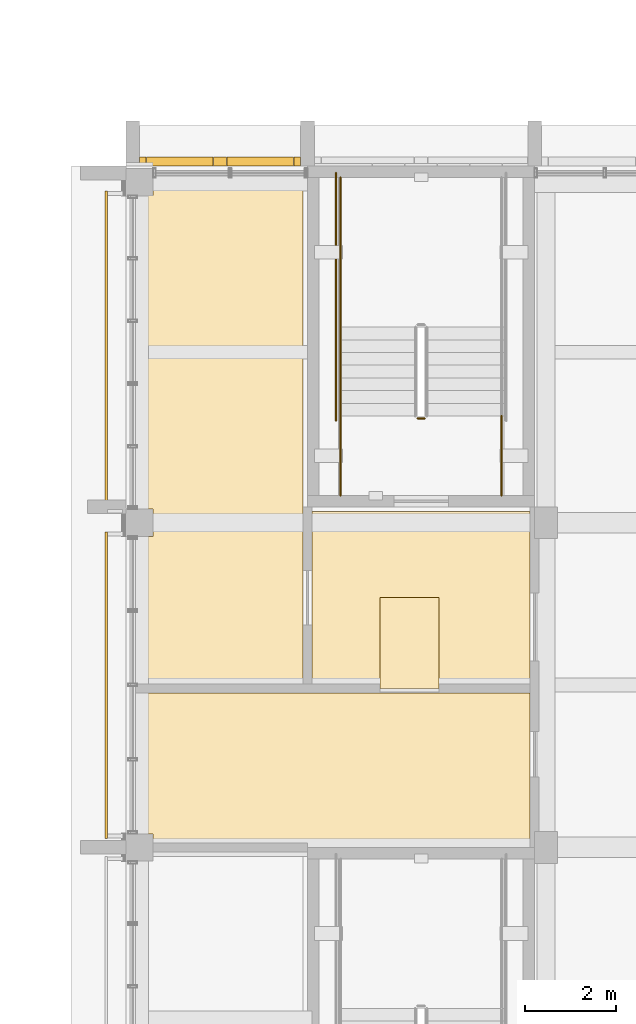
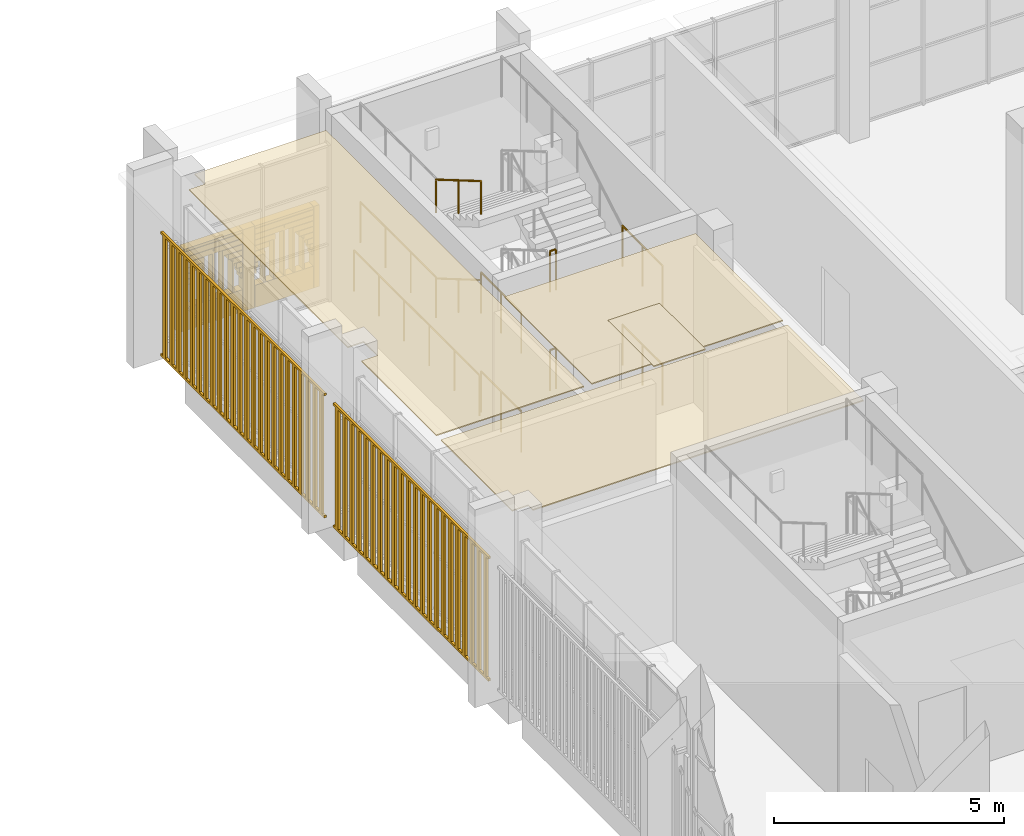
# One storey, part 121 of 125: 10 railings, 5 coverings, 2 shading devices.
"""IFC4 building model written with IfcOpenShell, lengths in metres."""

from ifc_helpers import new_model, si_unit, direction, frame, origin, origin_2d, place, context, subcontext, project, spatial, polyline, rectangle, circle, outline, extrude, material, layer, layer_set, type_object, element, save


model = new_model("IFC4")

# Units and contexts
model_context = context("Model", 3, precision=1e-05, world=origin(), true_north=direction((0.0, 1.0)))
body_context = subcontext(model_context, "Body", "Model", "MODEL_VIEW")
ifc_project = project(units=[si_unit("LENGTHUNIT", "METRE"), si_unit("AREAUNIT", "SQUARE_METRE"), si_unit("VOLUMEUNIT", "CUBIC_METRE"), si_unit("PLANEANGLEUNIT", "RADIAN"), si_unit("MASSUNIT", "GRAM", prefix="KILO")], contexts=[model_context])

# Site, building, storey
site_placement = place(None, origin())
site = spatial("IfcSite", under=ifc_project, at=site_placement, CompositionType="ELEMENT")
building_placement = place(site_placement, origin())
building = spatial("IfcBuilding", under=site, at=building_placement, Name="Sun Court Science Centre", CompositionType="ELEMENT")
storey_placement = place(building_placement, frame((0.0, 0.0, 6.0)))
storey = spatial("IfcBuildingStorey", under=building, at=storey_placement, Name="L01", CompositionType="ELEMENT", Elevation=6.0)

# Coverings
ifc_material_1 = material(Name="Red sandstone", Category="masonry")
ifc_layer_1 = layer(ifc_material_1, 0.199951171875)
ifc_layer_set_1 = layer_set([ifc_layer_1], Name="Red sandstone")
covering_type_1 = type_object("IfcCoveringType", Name="Arched jali screen 200", PredefinedType="CLADDING", material=ifc_layer_set_1)
covering_1_placement = place(storey_placement, frame((0.0, 0.0, -6.0)))
element("IfcCovering", 1, at=covering_1_placement, inside=storey, type_object=covering_type_1, Name="Arched jali screen north L01 01", PredefinedType="CLADDING", context=body_context, shape_type="SweptSolid", body=[
    extrude(rectangle(XDim=0.139892578125, YDim=0.199951171875, at=origin_2d()), frame((78.375, 81.10009765625, 6.304931640625), z_axis=(0.0, 0.0, 1.0), x_axis=(1.0, 0.0, 0.0)), (0.0, 0.0, 1.0), 2.16748046875),
    extrude(rectangle(XDim=0.2900390625, YDim=0.199951171875, at=origin_2d()), frame((80.074951171875, 81.10009765625, 6.304931640625), z_axis=(0.0, 0.0, 1.0), x_axis=(1.0, 0.0, 0.0)), (0.0, 0.0, 1.0), 2.16748046875),
    extrude(rectangle(XDim=0.139892578125, YDim=0.199951171875, at=origin_2d()), frame((81.77490234375, 81.10009765625, 6.304931640625), z_axis=(0.0, 0.0, 1.0), x_axis=(1.0, 0.0, 0.0)), (0.0, 0.0, 1.0), 2.16748046875),
    extrude(rectangle(XDim=1.465087890625, YDim=0.199951171875, at=origin_2d()), frame((79.1875, 81.10009765625, 6.30517578125), z_axis=(0.0, 0.0, 1.0), x_axis=(1.0, 0.0, 0.0)), (0.0, 0.0, 1.0), 0.590087890625),
    extrude(rectangle(XDim=0.03857421875, YDim=0.199951171875, at=origin_2d()), frame((78.47412109375, 81.10009765625, 7.205078125), z_axis=(0.0, 0.0, 1.0), x_axis=(1.0, 0.0, 0.0)), (0.0, 0.0, 1.0), 0.139892578125),
    extrude(rectangle(XDim=0.03857421875, YDim=0.199951171875, at=origin_2d()), frame((79.90087890625, 81.10009765625, 7.205078125), z_axis=(0.0, 0.0, 1.0), x_axis=(1.0, 0.0, 0.0)), (0.0, 0.0, 1.0), 0.139892578125),
    extrude(rectangle(XDim=0.086669921875, YDim=0.199951171875, at=origin_2d()), frame((78.498291015625, 81.10009765625, 7.35498046875), z_axis=(0.0, 0.0, 1.0), x_axis=(1.0, 0.0, 0.0)), (0.0, 0.0, 1.0), 0.139892578125),
    extrude(rectangle(XDim=0.086669921875, YDim=0.199951171875, at=origin_2d()), frame((79.876708984375, 81.10009765625, 7.35498046875), z_axis=(0.0, 0.0, 1.0), x_axis=(1.0, 0.0, 0.0)), (0.0, 0.0, 1.0), 0.139892578125),
    extrude(rectangle(XDim=0.153564453125, YDim=0.199951171875, at=origin_2d()), frame((78.53173828125, 81.10009765625, 7.5048828125), z_axis=(0.0, 0.0, 1.0), x_axis=(1.0, 0.0, 0.0)), (0.0, 0.0, 1.0), 0.139892578125),
    extrude(rectangle(XDim=0.153564453125, YDim=0.199951171875, at=origin_2d()), frame((79.84326171875, 81.10009765625, 7.5048828125), z_axis=(0.0, 0.0, 1.0), x_axis=(1.0, 0.0, 0.0)), (0.0, 0.0, 1.0), 0.139892578125),
    extrude(rectangle(XDim=0.2421875, YDim=0.199951171875, at=origin_2d()), frame((78.576171875, 81.10009765625, 7.6552734375), z_axis=(0.0, 0.0, 1.0), x_axis=(1.0, 0.0, 0.0)), (0.0, 0.0, 1.0), 0.139892578125),
    extrude(rectangle(XDim=0.2421875, YDim=0.199951171875, at=origin_2d()), frame((79.798828125, 81.10009765625, 7.6552734375), z_axis=(0.0, 0.0, 1.0), x_axis=(1.0, 0.0, 0.0)), (0.0, 0.0, 1.0), 0.139892578125),
    extrude(rectangle(XDim=0.358154296875, YDim=0.199951171875, at=origin_2d()), frame((78.634033203125, 81.10009765625, 7.80517578125), z_axis=(0.0, 0.0, 1.0), x_axis=(1.0, 0.0, 0.0)), (0.0, 0.0, 1.0), 0.139892578125),
    extrude(rectangle(XDim=0.358154296875, YDim=0.199951171875, at=origin_2d()), frame((79.740966796875, 81.10009765625, 7.80517578125), z_axis=(0.0, 0.0, 1.0), x_axis=(1.0, 0.0, 0.0)), (0.0, 0.0, 1.0), 0.139892578125),
    extrude(rectangle(XDim=0.510986328125, YDim=0.199951171875, at=origin_2d()), frame((78.71044921875, 81.10009765625, 7.955078125), z_axis=(0.0, 0.0, 1.0), x_axis=(1.0, 0.0, 0.0)), (0.0, 0.0, 1.0), 0.139892578125),
    extrude(rectangle(XDim=0.510986328125, YDim=0.199951171875, at=origin_2d()), frame((79.66455078125, 81.10009765625, 7.955078125), z_axis=(0.0, 0.0, 1.0), x_axis=(1.0, 0.0, 0.0)), (0.0, 0.0, 1.0), 0.139892578125),
    extrude(rectangle(XDim=0.723388671875, YDim=0.199951171875, at=origin_2d()), frame((78.816650390625, 81.10009765625, 8.10498046875), z_axis=(0.0, 0.0, 1.0), x_axis=(1.0, 0.0, 0.0)), (0.0, 0.0, 1.0), 0.139892578125),
    extrude(rectangle(XDim=0.723388671875, YDim=0.199951171875, at=origin_2d()), frame((79.558349609375, 81.10009765625, 8.10498046875), z_axis=(0.0, 0.0, 1.0), x_axis=(1.0, 0.0, 0.0)), (0.0, 0.0, 1.0), 0.139892578125),
    extrude(rectangle(XDim=1.465087890625, YDim=0.199951171875, at=origin_2d()), frame((79.1875, 81.10009765625, 8.2548828125), z_axis=(0.0, 0.0, 1.0), x_axis=(1.0, 0.0, 0.0)), (0.0, 0.0, 1.0), 0.139892578125),
    extrude(rectangle(XDim=1.465087890625, YDim=0.199951171875, at=origin_2d()), frame((79.1875, 81.10009765625, 8.405029296875), z_axis=(0.0, 0.0, 1.0), x_axis=(1.0, 0.0, 0.0)), (0.0, 0.0, 1.0), 0.0673828125),
    extrude(rectangle(XDim=0.0400390625, YDim=0.199951171875, at=origin_2d()), frame((78.69580078125, 81.10009765625, 6.90478515625), z_axis=(0.0, 0.0, 1.0), x_axis=(1.0, 0.0, 0.0)), (0.0, 0.0, 1.0), 0.805419921875),
    extrude(rectangle(XDim=0.0400390625, YDim=0.199951171875, at=origin_2d()), frame((78.941650390625, 81.10009765625, 6.905029296875), z_axis=(0.0, 0.0, 1.0), x_axis=(1.0, 0.0, 0.0)), (0.0, 0.0, 1.0), 1.08935546875),
    extrude(rectangle(XDim=0.0400390625, YDim=0.199951171875, at=origin_2d()), frame((79.1875, 81.10009765625, 6.90478515625), z_axis=(0.0, 0.0, 1.0), x_axis=(1.0, 0.0, 0.0)), (0.0, 0.0, 1.0), 1.267333984375),
    extrude(rectangle(XDim=0.0400390625, YDim=0.199951171875, at=origin_2d()), frame((79.433349609375, 81.10009765625, 6.905029296875), z_axis=(0.0, 0.0, 1.0), x_axis=(1.0, 0.0, 0.0)), (0.0, 0.0, 1.0), 1.08935546875),
    extrude(rectangle(XDim=0.0400390625, YDim=0.199951171875, at=origin_2d()), frame((79.67919921875, 81.10009765625, 6.90478515625), z_axis=(0.0, 0.0, 1.0), x_axis=(1.0, 0.0, 0.0)), (0.0, 0.0, 1.0), 0.805419921875),
    extrude(rectangle(XDim=1.465087890625, YDim=0.199951171875, at=origin_2d()), frame((80.96240234375, 81.10009765625, 6.30517578125), z_axis=(0.0, 0.0, 1.0), x_axis=(1.0, 0.0, 0.0)), (0.0, 0.0, 1.0), 0.590087890625),
    extrude(rectangle(XDim=0.03857421875, YDim=0.199951171875, at=origin_2d()), frame((80.249267578125, 81.10009765625, 7.205078125), z_axis=(0.0, 0.0, 1.0), x_axis=(1.0, 0.0, 0.0)), (0.0, 0.0, 1.0), 0.139892578125),
    extrude(rectangle(XDim=0.03857421875, YDim=0.199951171875, at=origin_2d()), frame((81.67578125, 81.10009765625, 7.205078125), z_axis=(0.0, 0.0, 1.0), x_axis=(1.0, 0.0, 0.0)), (0.0, 0.0, 1.0), 0.139892578125),
    extrude(rectangle(XDim=0.086669921875, YDim=0.199951171875, at=origin_2d()), frame((80.273193359375, 81.10009765625, 7.35498046875), z_axis=(0.0, 0.0, 1.0), x_axis=(1.0, 0.0, 0.0)), (0.0, 0.0, 1.0), 0.139892578125),
    extrude(rectangle(XDim=0.086669921875, YDim=0.199951171875, at=origin_2d()), frame((81.651611328125, 81.10009765625, 7.35498046875), z_axis=(0.0, 0.0, 1.0), x_axis=(1.0, 0.0, 0.0)), (0.0, 0.0, 1.0), 0.139892578125),
    extrude(rectangle(XDim=0.153564453125, YDim=0.199951171875, at=origin_2d()), frame((80.306640625, 81.10009765625, 7.5048828125), z_axis=(0.0, 0.0, 1.0), x_axis=(1.0, 0.0, 0.0)), (0.0, 0.0, 1.0), 0.139892578125),
    extrude(rectangle(XDim=0.153564453125, YDim=0.199951171875, at=origin_2d()), frame((81.6181640625, 81.10009765625, 7.5048828125), z_axis=(0.0, 0.0, 1.0), x_axis=(1.0, 0.0, 0.0)), (0.0, 0.0, 1.0), 0.139892578125),
    extrude(rectangle(XDim=0.2421875, YDim=0.199951171875, at=origin_2d()), frame((80.35107421875, 81.10009765625, 7.6552734375), z_axis=(0.0, 0.0, 1.0), x_axis=(1.0, 0.0, 0.0)), (0.0, 0.0, 1.0), 0.139892578125),
    extrude(rectangle(XDim=0.2421875, YDim=0.199951171875, at=origin_2d()), frame((81.57373046875, 81.10009765625, 7.6552734375), z_axis=(0.0, 0.0, 1.0), x_axis=(1.0, 0.0, 0.0)), (0.0, 0.0, 1.0), 0.139892578125),
    extrude(rectangle(XDim=0.358154296875, YDim=0.199951171875, at=origin_2d()), frame((80.4091796875, 81.10009765625, 7.80517578125), z_axis=(0.0, 0.0, 1.0), x_axis=(1.0, 0.0, 0.0)), (0.0, 0.0, 1.0), 0.139892578125),
    extrude(rectangle(XDim=0.358154296875, YDim=0.199951171875, at=origin_2d()), frame((81.515869140625, 81.10009765625, 7.80517578125), z_axis=(0.0, 0.0, 1.0), x_axis=(1.0, 0.0, 0.0)), (0.0, 0.0, 1.0), 0.139892578125),
    extrude(rectangle(XDim=0.510986328125, YDim=0.199951171875, at=origin_2d()), frame((80.485595703125, 81.10009765625, 7.955078125), z_axis=(0.0, 0.0, 1.0), x_axis=(1.0, 0.0, 0.0)), (0.0, 0.0, 1.0), 0.139892578125),
    extrude(rectangle(XDim=0.510986328125, YDim=0.199951171875, at=origin_2d()), frame((81.439453125, 81.10009765625, 7.955078125), z_axis=(0.0, 0.0, 1.0), x_axis=(1.0, 0.0, 0.0)), (0.0, 0.0, 1.0), 0.139892578125),
    extrude(rectangle(XDim=0.723388671875, YDim=0.199951171875, at=origin_2d()), frame((80.591796875, 81.10009765625, 8.10498046875), z_axis=(0.0, 0.0, 1.0), x_axis=(1.0, 0.0, 0.0)), (0.0, 0.0, 1.0), 0.139892578125),
    extrude(rectangle(XDim=0.723388671875, YDim=0.199951171875, at=origin_2d()), frame((81.333251953125, 81.10009765625, 8.10498046875), z_axis=(0.0, 0.0, 1.0), x_axis=(1.0, 0.0, 0.0)), (0.0, 0.0, 1.0), 0.139892578125),
    extrude(rectangle(XDim=1.465087890625, YDim=0.199951171875, at=origin_2d()), frame((80.96240234375, 81.10009765625, 8.2548828125), z_axis=(0.0, 0.0, 1.0), x_axis=(1.0, 0.0, 0.0)), (0.0, 0.0, 1.0), 0.139892578125),
    extrude(rectangle(XDim=1.465087890625, YDim=0.199951171875, at=origin_2d()), frame((80.96240234375, 81.10009765625, 8.405029296875), z_axis=(0.0, 0.0, 1.0), x_axis=(1.0, 0.0, 0.0)), (0.0, 0.0, 1.0), 0.0673828125),
    extrude(rectangle(XDim=0.0400390625, YDim=0.199951171875, at=origin_2d()), frame((80.470947265625, 81.10009765625, 6.90478515625), z_axis=(0.0, 0.0, 1.0), x_axis=(1.0, 0.0, 0.0)), (0.0, 0.0, 1.0), 0.805419921875),
    extrude(rectangle(XDim=0.0400390625, YDim=0.199951171875, at=origin_2d()), frame((80.716552734375, 81.10009765625, 6.905029296875), z_axis=(0.0, 0.0, 1.0), x_axis=(1.0, 0.0, 0.0)), (0.0, 0.0, 1.0), 1.08935546875),
    extrude(rectangle(XDim=0.0400390625, YDim=0.199951171875, at=origin_2d()), frame((80.96240234375, 81.10009765625, 6.90478515625), z_axis=(0.0, 0.0, 1.0), x_axis=(1.0, 0.0, 0.0)), (0.0, 0.0, 1.0), 1.267333984375),
    extrude(rectangle(XDim=0.0400390625, YDim=0.199951171875, at=origin_2d()), frame((81.208251953125, 81.10009765625, 6.905029296875), z_axis=(0.0, 0.0, 1.0), x_axis=(1.0, 0.0, 0.0)), (0.0, 0.0, 1.0), 1.08935546875),
    extrude(rectangle(XDim=0.0400390625, YDim=0.199951171875, at=origin_2d()), frame((81.4541015625, 81.10009765625, 6.90478515625), z_axis=(0.0, 0.0, 1.0), x_axis=(1.0, 0.0, 0.0)), (0.0, 0.0, 1.0), 0.805419921875),
])
ifc_material_2 = material(Name="Gypsum board")
ifc_layer_2 = layer(ifc_material_2, 0.030029296875)
ifc_layer_set_2 = layer_set([ifc_layer_2], Name="Gypsum board")
covering_type_2 = type_object("IfcCoveringType", Name="Ceiling suspended 600 module", PredefinedType="CEILING", material=ifc_layer_set_2)
covering_2_placement = place(storey_placement, frame((0.0, 0.0, 4.52001953125)))
element("IfcCovering", 2, at=covering_2_placement, inside=storey, type_object=covering_type_2, Name="L01-042 ceiling", PredefinedType="CEILING", context=body_context, shape_type="SweptSolid", body=[
    extrude(outline(polyline([(84.89990234375, 71.5), (83.60009765625, 71.5), (83.60009765625, 69.60009765625), (82.10009765625, 69.60009765625), (82.10009765625, 73.39990234375), (86.89990234375, 73.39990234375), (86.89990234375, 69.60009765625), (84.89990234375, 69.60009765625), (84.89990234375, 71.5)])), origin(), (0.0, 0.0, 1.0), 0.030029296875),
])
covering_3_placement = place(storey_placement, frame((0.0, 0.0, 4.52001953125)))
element("IfcCovering", 3, at=covering_3_placement, inside=storey, type_object=covering_type_2, Name="L01-048 ceiling", PredefinedType="CEILING", context=body_context, shape_type="SweptSolid", body=[
    extrude(outline(polyline([(78.199951171875, 69.39990234375), (86.89990234375, 69.39990234375), (86.89990234375, 66.10009765625), (78.60009765625, 66.10009765625), (78.60009765625, 66.300048828125), (78.199951171875, 66.300048828125), (78.199951171875, 69.39990234375)])), origin(), (0.0, 0.0, 1.0), 0.030029296875),
])
covering_4_placement = place(storey_placement, frame((0.0, 0.0, 4.52001953125)))
element("IfcCovering", 4, at=covering_4_placement, inside=storey, type_object=covering_type_2, Name="L01-049 ceiling", PredefinedType="CEILING", context=body_context, shape_type="SweptSolid", body=[
    extrude(outline(polyline([(78.60009765625, 80.800048828125), (81.89990234375, 80.800048828125), (81.89990234375, 69.60009765625), (78.199951171875, 69.60009765625), (78.199951171875, 72.85009765625), (78.60009765625, 72.85009765625), (78.60009765625, 73.449951171875), (78.199951171875, 73.449951171875), (78.199951171875, 80.35009765625), (78.60009765625, 80.35009765625), (78.60009765625, 80.800048828125)])), origin(), (0.0, 0.0, 1.0), 0.030029296875),
])
covering_5_placement = place(storey_placement, frame((0.0, 0.0, 4.52001953125)))
element("IfcCovering", 5, at=covering_5_placement, inside=storey, type_object=covering_type_2, Name="L01-061 ceiling", PredefinedType="CEILING", context=body_context, shape_type="SweptSolid", body=[
    extrude(outline(polyline([(84.89990234375, 71.5), (84.89990234375, 69.5), (83.60009765625, 69.5), (83.60009765625, 71.5), (84.89990234375, 71.5)])), origin(), (0.0, 0.0, 1.0), 0.030029296875),
])

# Railings
ifc_material_3 = material(Name="Steel S275", Category="steel")
railing_type_1 = type_object("IfcRailingType", Name="Guard 1100 steel balustrade", PredefinedType="GUARDRAIL", material=ifc_material_3)
railing_1_placement = place(storey_placement, frame((82.72705078125, 77.4580078125, 1.3125)))
element("IfcRailing", 6, at=railing_1_placement, inside=storey, type_object=railing_type_1, Name="L01 SL4 stair guard 4", PredefinedType="GUARDRAIL", context=body_context, shape_type="SweptSolid", body=[
    extrude(circle(Radius=0.02392578125, at=origin_2d()), frame((0.0, 0.0, 1.076171875), z_axis=(0.0, 1.0, 0.0), x_axis=(-1.0, 0.0, 0.0)), (0.0, 0.0, 1.0), 3.2919921875),
    extrude(circle(Radius=0.02099609375, at=origin_2d()), origin(), (0.0, 0.0, 1.0), 1.052001953125),
    extrude(circle(Radius=0.02099609375, at=origin_2d()), frame((0.0, 1.097412109375, 0.0)), (0.0, 0.0, 1.0), 1.052001953125),
    extrude(circle(Radius=0.02099609375, at=origin_2d()), frame((0.0, 2.194580078125, 0.0)), (0.0, 0.0, 1.0), 1.052001953125),
    extrude(circle(Radius=0.02099609375, at=origin_2d()), frame((0.0, 3.2919921875, 0.0)), (0.0, 0.0, 1.0), 1.052001953125),
])
railing_2_placement = place(storey_placement, frame((84.574951171875, 75.447998046875, 2.625)))
element("IfcRailing", 7, at=railing_2_placement, inside=storey, type_object=railing_type_1, Name="L01 SL4 stair guard 6", PredefinedType="GUARDRAIL", context=body_context, shape_type="SweptSolid", body=[
    extrude(circle(Radius=0.02392578125, at=origin_2d()), frame((0.0, 0.0, 1.076171875), z_axis=(-1.0, 0.0, 0.0), x_axis=(0.0, -1.0, 0.0)), (0.0, 0.0, 1.0), 0.14990234375),
    extrude(circle(Radius=0.02099609375, at=origin_2d()), origin(), (0.0, 0.0, 1.0), 1.052001953125),
    extrude(circle(Radius=0.02099609375, at=origin_2d()), frame((-0.14990234375, 0.0, 0.0)), (0.0, 0.0, 1.0), 1.052001953125),
])
for number, where, name in (
    (8, (86.27294921875, 73.75, 2.625), "L01 SL4 stair guard 7"),
    (9, (82.72705078125, 73.75, 2.625), "L01 SL4 stair guard 8"),
):
    element("IfcRailing", number, at=place(storey_placement, frame(where)), inside=storey, type_object=railing_type_1, Name=name, PredefinedType="GUARDRAIL", context=body_context, shape_type="SweptSolid", body=[
        extrude(circle(Radius=0.02392578125, at=origin_2d()), frame((0.0, 0.0, 1.076171875), z_axis=(0.0, 1.0, 0.0), x_axis=(-1.0, 0.0, 0.0)), (0.0, 0.0, 1.0), 1.748046875),
        extrude(circle(Radius=0.02099609375, at=origin_2d()), origin(), (0.0, 0.0, 1.0), 1.052001953125),
        extrude(circle(Radius=0.02099609375, at=origin_2d()), frame((0.0, 0.8740234375, 0.0)), (0.0, 0.0, 1.0), 1.052001953125),
        extrude(circle(Radius=0.02099609375, at=origin_2d()), frame((0.0, 1.748046875, 0.0)), (0.0, 0.0, 1.0), 1.052001953125),
    ])
railing_3_placement = place(storey_placement, frame((84.574951171875, 75.447998046875, 0.0)))
element("IfcRailing", 10, at=railing_3_placement, inside=storey, type_object=railing_type_1, Name="L01 SL4 stair guard 14", PredefinedType="GUARDRAIL", context=body_context, shape_type="SweptSolid", body=[
    extrude(circle(Radius=0.02392578125, at=origin_2d()), frame((0.0, 0.0, 1.076171875), z_axis=(-1.0, 0.0, 0.0), x_axis=(0.0, -1.0, 0.0)), (0.0, 0.0, 1.0), 0.14990234375),
    extrude(circle(Radius=0.02099609375, at=origin_2d()), origin(), (0.0, 0.0, 1.0), 1.052001953125),
    extrude(circle(Radius=0.02099609375, at=origin_2d()), frame((-0.14990234375, 0.0, 0.0)), (0.0, 0.0, 1.0), 1.052001953125),
])
for number, where, name in (
    (11, (86.27294921875, 73.75, 0.0), "L01 SL4 stair guard 15"),
    (12, (82.72705078125, 73.75, 0.0), "L01 SL4 stair guard 16"),
):
    element("IfcRailing", number, at=place(storey_placement, frame(where)), inside=storey, type_object=railing_type_1, Name=name, PredefinedType="GUARDRAIL", context=body_context, shape_type="SweptSolid", body=[
        extrude(circle(Radius=0.02392578125, at=origin_2d()), frame((0.0, 0.0, 1.076171875), z_axis=(0.0, 1.0, 0.0), x_axis=(-1.0, 0.0, 0.0)), (0.0, 0.0, 1.0), 1.748046875),
        extrude(circle(Radius=0.02099609375, at=origin_2d()), origin(), (0.0, 0.0, 1.0), 1.052001953125),
        extrude(circle(Radius=0.02099609375, at=origin_2d()), frame((0.0, 0.8740234375, 0.0)), (0.0, 0.0, 1.0), 1.052001953125),
        extrude(circle(Radius=0.02099609375, at=origin_2d()), frame((0.0, 1.748046875, 0.0)), (0.0, 0.0, 1.0), 1.052001953125),
    ])
railing_4_placement = place(storey_placement, frame((82.626953125, 75.39794921875, 0.0)))
element("IfcRailing", 13, at=railing_4_placement, inside=storey, type_object=railing_type_1, Name="L01 SL4 stair guard 18", PredefinedType="GUARDRAIL", context=body_context, shape_type="SweptSolid", body=[
    extrude(circle(Radius=0.02392578125, at=origin_2d()), frame((0.0, 0.0, 1.076171875), z_axis=(0.0, 1.0, 0.0), x_axis=(-1.0, 0.0, 0.0)), (0.0, 0.0, 1.0), 5.4521484375),
    extrude(circle(Radius=0.02099609375, at=origin_2d()), origin(), (0.0, 0.0, 1.0), 1.052001953125),
    extrude(circle(Radius=0.02099609375, at=origin_2d()), frame((0.0, 1.09033203125, 0.0)), (0.0, 0.0, 1.0), 1.052001953125),
    extrude(circle(Radius=0.02099609375, at=origin_2d()), frame((0.0, 2.180908203125, 0.0)), (0.0, 0.0, 1.0), 1.052001953125),
    extrude(circle(Radius=0.02099609375, at=origin_2d()), frame((0.0, 3.271240234375, 0.0)), (0.0, 0.0, 1.0), 1.052001953125),
    extrude(circle(Radius=0.02099609375, at=origin_2d()), frame((0.0, 4.36181640625, 0.0)), (0.0, 0.0, 1.0), 1.052001953125),
    extrude(circle(Radius=0.02099609375, at=origin_2d()), frame((0.0, 5.4521484375, 0.0)), (0.0, 0.0, 1.0), 1.052001953125),
])
ifc_material_4 = material(Name="Stainless steel", Category="steel")
railing_type_2 = type_object("IfcRailingType", Name="Handrail 900 stainless", PredefinedType="HANDRAIL", material=ifc_material_4)
for number, where, name in (
    (14, (82.72705078125, 77.4580078125, 1.4765625), "L01 SL4 stair handrail 2"),
    (15, (82.72705078125, 77.4580078125, 4.1015625), "L01 SL4 stair handrail 4"),
):
    element("IfcRailing", number, at=place(storey_placement, frame(where)), inside=storey, type_object=railing_type_2, Name=name, PredefinedType="HANDRAIL", context=body_context, shape_type="SweptSolid", body=[
        extrude(circle(Radius=0.02392578125, at=origin_2d()), frame((0.0, 0.0, 0.8759765625), z_axis=(0.0, -0.862794965445, 0.505554000679), x_axis=(1.0, 0.0, 0.0)), (0.0, 0.0, 1.0), 2.271728515625),
        extrude(circle(Radius=0.02099609375, at=origin_2d()), origin(), (0.0, 0.0, 1.0), 0.851806640625),
        extrude(circle(Radius=0.02099609375, at=origin_2d()), frame((0.0, -0.97998046875, 0.57421875)), (0.0, 0.0, 1.0), 0.851806640625),
        extrude(circle(Radius=0.02099609375, at=origin_2d()), frame((0.0, -1.9599609375, 1.1484375)), (0.0, 0.0, 1.0), 0.851806640625),
    ])

# Shading devices
ifc_material_5 = material(Name="Red sandstone", Category="masonry")
ifc_layer_3 = layer(ifc_material_5, 0.06005859375)
ifc_layer_set_3 = layer_set([ifc_layer_3], Name="Red sandstone")
shading_device_type = type_object("IfcShadingDeviceType", Name="Jali screen, sandstone", PredefinedType="USERDEFINED", material=ifc_layer_set_3)
shading_device_1_placement = place(storey_placement, frame((0.0, 0.0, -6.0)))
element("IfcShadingDevice", 16, at=shading_device_1_placement, inside=storey, type_object=shading_device_type, Name="Jali screen west face L01 08", ObjectType="JALI SCREEN", PredefinedType="USERDEFINED", context=body_context, shape_type="SweptSolid", body=[
    extrude(rectangle(XDim=0.1201171875, YDim=0.06005859375, at=origin_2d()), frame((77.570068359375, 66.353515625, 6.33984375), z_axis=(0.0, 0.0, 1.0), x_axis=(0.0, 1.0, 0.0)), (0.0, 0.0, 1.0), 3.219970703125),
    extrude(rectangle(XDim=0.1201171875, YDim=0.06005859375, at=origin_2d()), frame((77.570068359375, 66.66015625, 6.33984375), z_axis=(0.0, 0.0, 1.0), x_axis=(0.0, 1.0, 0.0)), (0.0, 0.0, 1.0), 3.219970703125),
    extrude(rectangle(XDim=0.1201171875, YDim=0.06005859375, at=origin_2d()), frame((77.570068359375, 66.967041015625, 6.33984375), z_axis=(0.0, 0.0, 1.0), x_axis=(0.0, 1.0, 0.0)), (0.0, 0.0, 1.0), 3.219970703125),
    extrude(rectangle(XDim=0.1201171875, YDim=0.06005859375, at=origin_2d()), frame((77.570068359375, 67.27392578125, 6.33984375), z_axis=(0.0, 0.0, 1.0), x_axis=(0.0, 1.0, 0.0)), (0.0, 0.0, 1.0), 3.219970703125),
    extrude(rectangle(XDim=0.1201171875, YDim=0.06005859375, at=origin_2d()), frame((77.570068359375, 67.58056640625, 6.33984375), z_axis=(0.0, 0.0, 1.0), x_axis=(0.0, 1.0, 0.0)), (0.0, 0.0, 1.0), 3.219970703125),
    extrude(rectangle(XDim=0.1201171875, YDim=0.06005859375, at=origin_2d()), frame((77.570068359375, 67.887451171875, 6.33984375), z_axis=(0.0, 0.0, 1.0), x_axis=(0.0, 1.0, 0.0)), (0.0, 0.0, 1.0), 3.219970703125),
    extrude(rectangle(XDim=0.1201171875, YDim=0.06005859375, at=origin_2d()), frame((77.570068359375, 68.1943359375, 6.33984375), z_axis=(0.0, 0.0, 1.0), x_axis=(0.0, 1.0, 0.0)), (0.0, 0.0, 1.0), 3.219970703125),
    extrude(rectangle(XDim=0.1201171875, YDim=0.06005859375, at=origin_2d()), frame((77.570068359375, 68.501220703125, 6.33984375), z_axis=(0.0, 0.0, 1.0), x_axis=(0.0, 1.0, 0.0)), (0.0, 0.0, 1.0), 3.219970703125),
    extrude(rectangle(XDim=0.1201171875, YDim=0.06005859375, at=origin_2d()), frame((77.570068359375, 68.807861328125, 6.33984375), z_axis=(0.0, 0.0, 1.0), x_axis=(0.0, 1.0, 0.0)), (0.0, 0.0, 1.0), 3.219970703125),
    extrude(rectangle(XDim=0.1201171875, YDim=0.06005859375, at=origin_2d()), frame((77.570068359375, 69.11474609375, 6.33984375), z_axis=(0.0, 0.0, 1.0), x_axis=(0.0, 1.0, 0.0)), (0.0, 0.0, 1.0), 3.219970703125),
    extrude(rectangle(XDim=0.1201171875, YDim=0.06005859375, at=origin_2d()), frame((77.570068359375, 69.421630859375, 6.33984375), z_axis=(0.0, 0.0, 1.0), x_axis=(0.0, 1.0, 0.0)), (0.0, 0.0, 1.0), 3.219970703125),
    extrude(rectangle(XDim=0.1201171875, YDim=0.06005859375, at=origin_2d()), frame((77.570068359375, 69.728515625, 6.33984375), z_axis=(0.0, 0.0, 1.0), x_axis=(0.0, 1.0, 0.0)), (0.0, 0.0, 1.0), 3.219970703125),
    extrude(rectangle(XDim=0.1201171875, YDim=0.06005859375, at=origin_2d()), frame((77.570068359375, 70.03515625, 6.33984375), z_axis=(0.0, 0.0, 1.0), x_axis=(0.0, 1.0, 0.0)), (0.0, 0.0, 1.0), 3.219970703125),
    extrude(rectangle(XDim=0.1201171875, YDim=0.06005859375, at=origin_2d()), frame((77.570068359375, 70.342041015625, 6.33984375), z_axis=(0.0, 0.0, 1.0), x_axis=(0.0, 1.0, 0.0)), (0.0, 0.0, 1.0), 3.219970703125),
    extrude(rectangle(XDim=0.1201171875, YDim=0.06005859375, at=origin_2d()), frame((77.570068359375, 70.64892578125, 6.33984375), z_axis=(0.0, 0.0, 1.0), x_axis=(0.0, 1.0, 0.0)), (0.0, 0.0, 1.0), 3.219970703125),
    extrude(rectangle(XDim=0.1201171875, YDim=0.06005859375, at=origin_2d()), frame((77.570068359375, 70.95556640625, 6.33984375), z_axis=(0.0, 0.0, 1.0), x_axis=(0.0, 1.0, 0.0)), (0.0, 0.0, 1.0), 3.219970703125),
    extrude(rectangle(XDim=0.1201171875, YDim=0.06005859375, at=origin_2d()), frame((77.570068359375, 71.262451171875, 6.33984375), z_axis=(0.0, 0.0, 1.0), x_axis=(0.0, 1.0, 0.0)), (0.0, 0.0, 1.0), 3.219970703125),
    extrude(rectangle(XDim=0.1201171875, YDim=0.06005859375, at=origin_2d()), frame((77.570068359375, 71.5693359375, 6.33984375), z_axis=(0.0, 0.0, 1.0), x_axis=(0.0, 1.0, 0.0)), (0.0, 0.0, 1.0), 3.219970703125),
    extrude(rectangle(XDim=0.1201171875, YDim=0.06005859375, at=origin_2d()), frame((77.570068359375, 71.876220703125, 6.33984375), z_axis=(0.0, 0.0, 1.0), x_axis=(0.0, 1.0, 0.0)), (0.0, 0.0, 1.0), 3.219970703125),
    extrude(rectangle(XDim=0.1201171875, YDim=0.06005859375, at=origin_2d()), frame((77.570068359375, 72.182861328125, 6.33984375), z_axis=(0.0, 0.0, 1.0), x_axis=(0.0, 1.0, 0.0)), (0.0, 0.0, 1.0), 3.219970703125),
    extrude(rectangle(XDim=0.1201171875, YDim=0.06005859375, at=origin_2d()), frame((77.570068359375, 72.48974609375, 6.33984375), z_axis=(0.0, 0.0, 1.0), x_axis=(0.0, 1.0, 0.0)), (0.0, 0.0, 1.0), 3.219970703125),
    extrude(rectangle(XDim=0.1201171875, YDim=0.06005859375, at=origin_2d()), frame((77.570068359375, 72.796630859375, 6.33984375), z_axis=(0.0, 0.0, 1.0), x_axis=(0.0, 1.0, 0.0)), (0.0, 0.0, 1.0), 3.219970703125),
    extrude(rectangle(XDim=6.75, YDim=0.06005859375, at=origin_2d()), frame((77.570068359375, 69.574951171875, 6.300048828125), z_axis=(0.0, 0.0, 1.0), x_axis=(0.0, 1.0, 0.0)), (0.0, 0.0, 1.0), 0.06005859375),
    extrude(rectangle(XDim=6.75, YDim=0.06005859375, at=origin_2d()), frame((77.570068359375, 69.574951171875, 9.5400390625), z_axis=(0.0, 0.0, 1.0), x_axis=(0.0, 1.0, 0.0)), (0.0, 0.0, 1.0), 0.06005859375),
])
shading_device_2_placement = place(storey_placement, frame((0.0, 0.0, -6.0)))
element("IfcShadingDevice", 17, at=shading_device_2_placement, inside=storey, type_object=shading_device_type, Name="Jali screen west face L01 09", ObjectType="JALI SCREEN", PredefinedType="USERDEFINED", context=body_context, shape_type="SweptSolid", body=[
    extrude(rectangle(XDim=0.1201171875, YDim=0.06005859375, at=origin_2d()), frame((77.570068359375, 73.497802734375, 6.33984375), z_axis=(0.0, 0.0, 1.0), x_axis=(0.0, 1.0, 0.0)), (0.0, 0.0, 1.0), 3.219970703125),
    extrude(rectangle(XDim=0.1201171875, YDim=0.06005859375, at=origin_2d()), frame((77.570068359375, 73.793701171875, 6.33984375), z_axis=(0.0, 0.0, 1.0), x_axis=(0.0, 1.0, 0.0)), (0.0, 0.0, 1.0), 3.219970703125),
    extrude(rectangle(XDim=0.1201171875, YDim=0.06005859375, at=origin_2d()), frame((77.570068359375, 74.089599609375, 6.33984375), z_axis=(0.0, 0.0, 1.0), x_axis=(0.0, 1.0, 0.0)), (0.0, 0.0, 1.0), 3.219970703125),
    extrude(rectangle(XDim=0.1201171875, YDim=0.06005859375, at=origin_2d()), frame((77.570068359375, 74.385498046875, 6.33984375), z_axis=(0.0, 0.0, 1.0), x_axis=(0.0, 1.0, 0.0)), (0.0, 0.0, 1.0), 3.219970703125),
    extrude(rectangle(XDim=0.1201171875, YDim=0.06005859375, at=origin_2d()), frame((77.570068359375, 74.68115234375, 6.33984375), z_axis=(0.0, 0.0, 1.0), x_axis=(0.0, 1.0, 0.0)), (0.0, 0.0, 1.0), 3.219970703125),
    extrude(rectangle(XDim=0.1201171875, YDim=0.06005859375, at=origin_2d()), frame((77.570068359375, 74.97705078125, 6.33984375), z_axis=(0.0, 0.0, 1.0), x_axis=(0.0, 1.0, 0.0)), (0.0, 0.0, 1.0), 3.219970703125),
    extrude(rectangle(XDim=0.1201171875, YDim=0.06005859375, at=origin_2d()), frame((77.570068359375, 75.27294921875, 6.33984375), z_axis=(0.0, 0.0, 1.0), x_axis=(0.0, 1.0, 0.0)), (0.0, 0.0, 1.0), 3.219970703125),
    extrude(rectangle(XDim=0.1201171875, YDim=0.06005859375, at=origin_2d()), frame((77.570068359375, 75.56884765625, 6.33984375), z_axis=(0.0, 0.0, 1.0), x_axis=(0.0, 1.0, 0.0)), (0.0, 0.0, 1.0), 3.219970703125),
    extrude(rectangle(XDim=0.1201171875, YDim=0.06005859375, at=origin_2d()), frame((77.570068359375, 75.864501953125, 6.33984375), z_axis=(0.0, 0.0, 1.0), x_axis=(0.0, 1.0, 0.0)), (0.0, 0.0, 1.0), 3.219970703125),
    extrude(rectangle(XDim=0.1201171875, YDim=0.06005859375, at=origin_2d()), frame((77.570068359375, 76.160400390625, 6.33984375), z_axis=(0.0, 0.0, 1.0), x_axis=(0.0, 1.0, 0.0)), (0.0, 0.0, 1.0), 3.219970703125),
    extrude(rectangle(XDim=0.1201171875, YDim=0.06005859375, at=origin_2d()), frame((77.570068359375, 76.456298828125, 6.33984375), z_axis=(0.0, 0.0, 1.0), x_axis=(0.0, 1.0, 0.0)), (0.0, 0.0, 1.0), 3.219970703125),
    extrude(rectangle(XDim=0.1201171875, YDim=0.06005859375, at=origin_2d()), frame((77.570068359375, 76.752197265625, 6.33984375), z_axis=(0.0, 0.0, 1.0), x_axis=(0.0, 1.0, 0.0)), (0.0, 0.0, 1.0), 3.219970703125),
    extrude(rectangle(XDim=0.1201171875, YDim=0.06005859375, at=origin_2d()), frame((77.570068359375, 77.0478515625, 6.33984375), z_axis=(0.0, 0.0, 1.0), x_axis=(0.0, 1.0, 0.0)), (0.0, 0.0, 1.0), 3.219970703125),
    extrude(rectangle(XDim=0.1201171875, YDim=0.06005859375, at=origin_2d()), frame((77.570068359375, 77.34375, 6.33984375), z_axis=(0.0, 0.0, 1.0), x_axis=(0.0, 1.0, 0.0)), (0.0, 0.0, 1.0), 3.219970703125),
    extrude(rectangle(XDim=0.1201171875, YDim=0.06005859375, at=origin_2d()), frame((77.570068359375, 77.6396484375, 6.33984375), z_axis=(0.0, 0.0, 1.0), x_axis=(0.0, 1.0, 0.0)), (0.0, 0.0, 1.0), 3.219970703125),
    extrude(rectangle(XDim=0.1201171875, YDim=0.06005859375, at=origin_2d()), frame((77.570068359375, 77.935302734375, 6.33984375), z_axis=(0.0, 0.0, 1.0), x_axis=(0.0, 1.0, 0.0)), (0.0, 0.0, 1.0), 3.219970703125),
    extrude(rectangle(XDim=0.1201171875, YDim=0.06005859375, at=origin_2d()), frame((77.570068359375, 78.231201171875, 6.33984375), z_axis=(0.0, 0.0, 1.0), x_axis=(0.0, 1.0, 0.0)), (0.0, 0.0, 1.0), 3.219970703125),
    extrude(rectangle(XDim=0.1201171875, YDim=0.06005859375, at=origin_2d()), frame((77.570068359375, 78.527099609375, 6.33984375), z_axis=(0.0, 0.0, 1.0), x_axis=(0.0, 1.0, 0.0)), (0.0, 0.0, 1.0), 3.219970703125),
    extrude(rectangle(XDim=0.1201171875, YDim=0.06005859375, at=origin_2d()), frame((77.570068359375, 78.822998046875, 6.33984375), z_axis=(0.0, 0.0, 1.0), x_axis=(0.0, 1.0, 0.0)), (0.0, 0.0, 1.0), 3.219970703125),
    extrude(rectangle(XDim=0.1201171875, YDim=0.06005859375, at=origin_2d()), frame((77.570068359375, 79.11865234375, 6.33984375), z_axis=(0.0, 0.0, 1.0), x_axis=(0.0, 1.0, 0.0)), (0.0, 0.0, 1.0), 3.219970703125),
    extrude(rectangle(XDim=0.1201171875, YDim=0.06005859375, at=origin_2d()), frame((77.570068359375, 79.41455078125, 6.33984375), z_axis=(0.0, 0.0, 1.0), x_axis=(0.0, 1.0, 0.0)), (0.0, 0.0, 1.0), 3.219970703125),
    extrude(rectangle(XDim=0.1201171875, YDim=0.06005859375, at=origin_2d()), frame((77.570068359375, 79.71044921875, 6.33984375), z_axis=(0.0, 0.0, 1.0), x_axis=(0.0, 1.0, 0.0)), (0.0, 0.0, 1.0), 3.219970703125),
    extrude(rectangle(XDim=0.1201171875, YDim=0.06005859375, at=origin_2d()), frame((77.570068359375, 80.00634765625, 6.33984375), z_axis=(0.0, 0.0, 1.0), x_axis=(0.0, 1.0, 0.0)), (0.0, 0.0, 1.0), 3.219970703125),
    extrude(rectangle(XDim=0.1201171875, YDim=0.06005859375, at=origin_2d()), frame((77.570068359375, 80.302001953125, 6.33984375), z_axis=(0.0, 0.0, 1.0), x_axis=(0.0, 1.0, 0.0)), (0.0, 0.0, 1.0), 3.219970703125),
    extrude(rectangle(XDim=7.10009765625, YDim=0.06005859375, at=origin_2d()), frame((77.570068359375, 76.89990234375, 6.300048828125), z_axis=(0.0, 0.0, 1.0), x_axis=(0.0, 1.0, 0.0)), (0.0, 0.0, 1.0), 0.06005859375),
    extrude(rectangle(XDim=7.10009765625, YDim=0.06005859375, at=origin_2d()), frame((77.570068359375, 76.89990234375, 9.5400390625), z_axis=(0.0, 0.0, 1.0), x_axis=(0.0, 1.0, 0.0)), (0.0, 0.0, 1.0), 0.06005859375),
])

save(model, "model.ifc")
